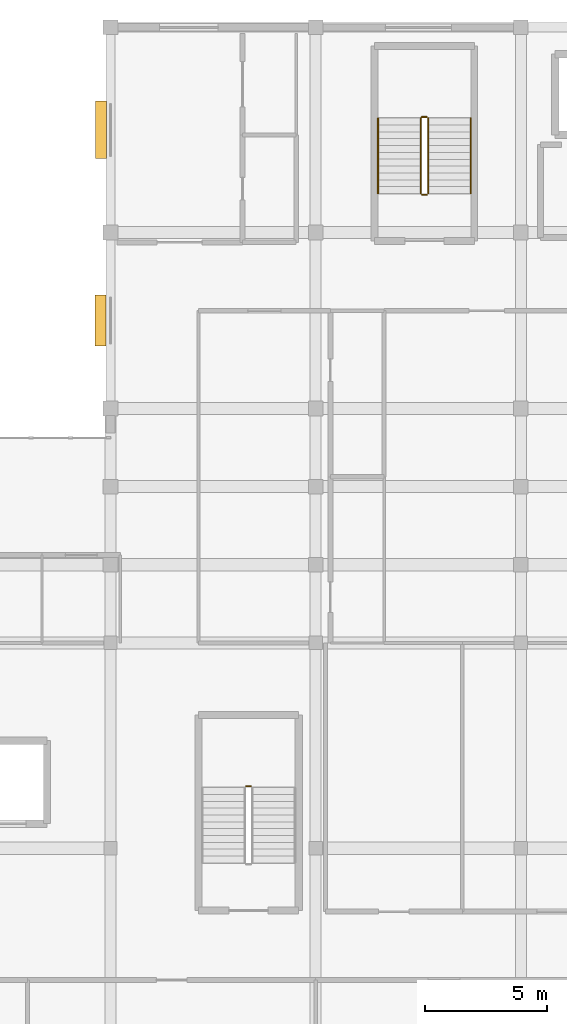
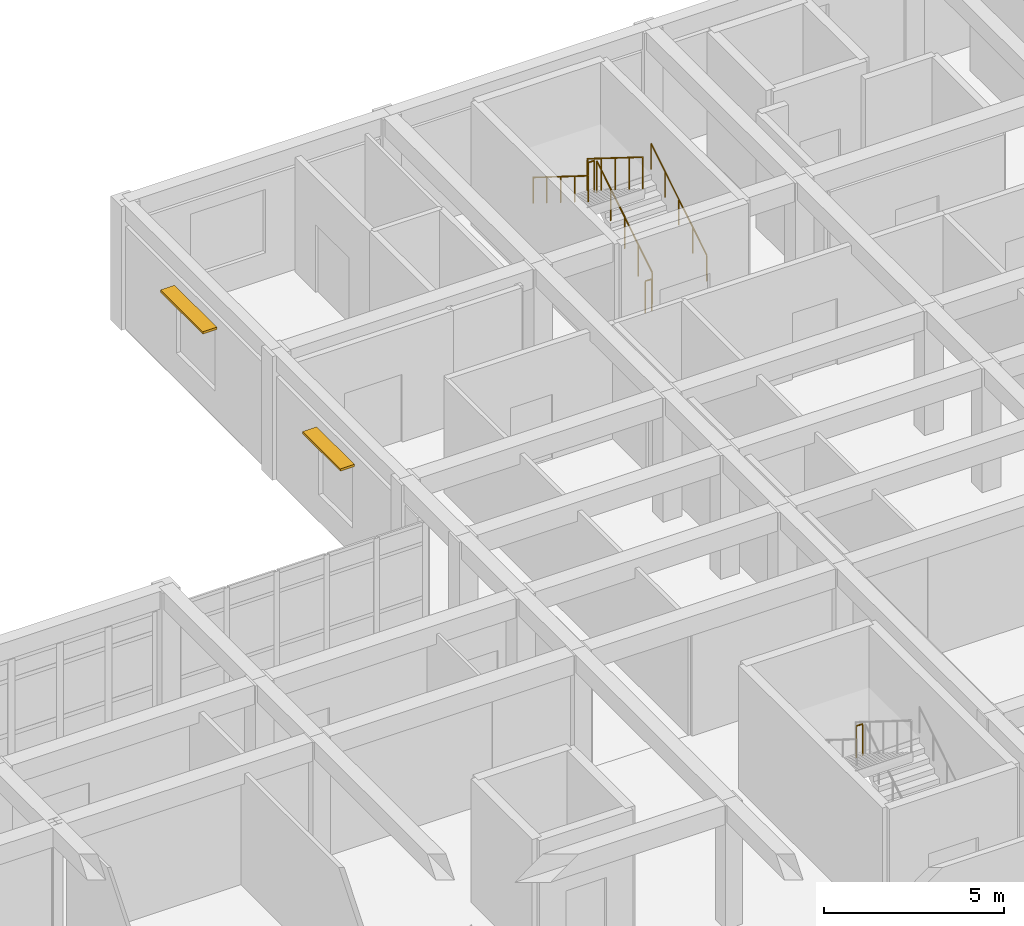
# One storey, part 71 of 77: 7 railings, 2 shading devices.
"""IFC4 building model written with IfcOpenShell, lengths in metres."""

from ifc_helpers import new_model, si_unit, direction, frame, origin, origin_2d, place, context, subcontext, project, spatial, rectangle, circle, extrude, material, layer, layer_set, type_object, element, save


model = new_model("IFC4")

# Units and contexts
model_context = context("Model", 3, precision=1e-05, world=origin(), true_north=direction((0.0, 1.0)))
body_context = subcontext(model_context, "Body", "Model", "MODEL_VIEW")
ifc_project = project(units=[si_unit("LENGTHUNIT", "METRE"), si_unit("AREAUNIT", "SQUARE_METRE"), si_unit("VOLUMEUNIT", "CUBIC_METRE"), si_unit("PLANEANGLEUNIT", "RADIAN"), si_unit("MASSUNIT", "GRAM", prefix="KILO")], contexts=[model_context])

# Site, building, storey
site_placement = place(None, origin())
site = spatial("IfcSite", under=ifc_project, at=site_placement, CompositionType="ELEMENT")
building_placement = place(site_placement, origin())
building = spatial("IfcBuilding", under=site, at=building_placement, Name="Varncliffe General Hospital", CompositionType="ELEMENT")
storey_placement = place(building_placement, frame((0.0, 0.0, 16.199951171875)))
storey = spatial("IfcBuildingStorey", under=building, at=storey_placement, Name="L03", CompositionType="ELEMENT", Elevation=16.199951171875)

# Shading devices
ifc_material_1 = material(Name="Dark bronze extruded aluminium solar jalousie louvres", Category="aluminium")
ifc_layer = layer(ifc_material_1, 0.080078125)
ifc_layer_set = layer_set([ifc_layer], Name="Dark bronze extruded aluminium solar jalousie louvres")
shading_device_type = type_object("IfcShadingDeviceType", Name="Bronze Solar Jalousie Louvre Hood SHD18", PredefinedType="JALOUSIE", material=ifc_layer_set)
shading_device_1_placement = place(storey_placement, frame((108.800048828125, 112.800048828125, 3.06005859375), z_axis=(0.0, 0.0, 1.0), x_axis=(0.0, 1.0, 0.0)))
element("IfcShadingDevice", 1, at=shading_device_1_placement, inside=storey, type_object=shading_device_type, Name="L03 Bronze Window Sun-Shading Louvre 67", PredefinedType="JALOUSIE", context=body_context, shape_type="SweptSolid", body=[
    extrude(rectangle(XDim=2.10009765625, YDim=0.449951171875, at=origin_2d()), origin(), (0.0, 0.0, 1.0), 0.080078125),
])
shading_device_2_placement = place(storey_placement, frame((108.81005859375, 120.60009765625, 3.06005859375), z_axis=(0.0, 0.0, 1.0), x_axis=(0.0, 1.0, 0.0)))
element("IfcShadingDevice", 2, at=shading_device_2_placement, inside=storey, type_object=shading_device_type, Name="L03 Bronze Window Sun-Shading Louvre 68", PredefinedType="JALOUSIE", context=body_context, shape_type="SweptSolid", body=[
    extrude(rectangle(XDim=2.35009765625, YDim=0.449951171875, at=origin_2d()), origin(), (0.0, 0.0, 1.0), 0.080078125),
])

# Railings
ifc_material_2 = material(Name="Powder-coated hospital steel guardrail and handrail", Category="steel")
railing_type_1 = type_object("IfcRailingType", Name="Stair and Ramp Handrail HR46", PredefinedType="HANDRAIL", material=ifc_material_2)
railing_1_placement = place(storey_placement, frame((123.949951171875, 118.0, 0.35400390625)))
element("IfcRailing", 3, at=railing_1_placement, inside=storey, type_object=railing_type_1, Name="L03 ST03 stair handrail 1", PredefinedType="HANDRAIL", context=body_context, shape_type="SweptSolid", body=[
    extrude(circle(Radius=0.02392578125, at=origin_2d()), frame((0.0, 0.0, 0.8759765625), z_axis=(0.0, 0.847998304005, 0.529998940003), x_axis=(-1.0, 0.0, 0.0)), (0.0, 0.0, 1.0), 3.632080078125),
    extrude(circle(Radius=0.02099609375, at=origin_2d()), origin(), (0.0, 0.0, 1.0), 0.851806640625),
    extrude(circle(Radius=0.02099609375, at=origin_2d()), frame((0.0, 0.77001953125, 0.481201171875)), (0.0, 0.0, 1.0), 0.851806640625),
    extrude(circle(Radius=0.02099609375, at=origin_2d()), frame((0.0, 1.5400390625, 0.96240234375)), (0.0, 0.0, 1.0), 0.851806640625),
    extrude(circle(Radius=0.02099609375, at=origin_2d()), frame((0.0, 2.31005859375, 1.44384765625)), (0.0, 0.0, 1.0), 0.851806640625),
    extrude(circle(Radius=0.02099609375, at=origin_2d()), frame((0.0, 3.080078125, 1.925048828125)), (0.0, 0.0, 1.0), 0.851806640625),
])
railing_2_placement = place(storey_placement, frame((120.14990234375, 121.080078125, 2.4541015625)))
element("IfcRailing", 4, at=railing_2_placement, inside=storey, type_object=railing_type_1, Name="L03 ST03 stair handrail 2", PredefinedType="HANDRAIL", context=body_context, shape_type="SweptSolid", body=[
    extrude(circle(Radius=0.02392578125, at=origin_2d()), frame((0.0, 0.0, 0.8759765625), z_axis=(0.0, -0.847998304005, 0.529998940003), x_axis=(1.0, 0.0, 0.0)), (0.0, 0.0, 1.0), 3.632080078125),
    extrude(circle(Radius=0.02099609375, at=origin_2d()), origin(), (0.0, 0.0, 1.0), 0.851806640625),
    extrude(circle(Radius=0.02099609375, at=origin_2d()), frame((0.0, -0.77001953125, 0.481201171875)), (0.0, 0.0, 1.0), 0.851806640625),
    extrude(circle(Radius=0.02099609375, at=origin_2d()), frame((0.0, -1.5400390625, 0.96240234375)), (0.0, 0.0, 1.0), 0.851806640625),
    extrude(circle(Radius=0.02099609375, at=origin_2d()), frame((0.0, -2.31005859375, 1.44384765625)), (0.0, 0.0, 1.0), 0.851806640625),
    extrude(circle(Radius=0.02099609375, at=origin_2d()), frame((0.0, -3.080078125, 1.925048828125)), (0.0, 0.0, 1.0), 0.851806640625),
])
railing_type_2 = type_object("IfcRailingType", Name="Stairwell Guardrail SG49", PredefinedType="GUARDRAIL", material=ifc_material_2)
railing_3_placement = place(storey_placement, frame((122.199951171875, 118.0, 0.175048828125)))
element("IfcRailing", 5, at=railing_3_placement, inside=storey, type_object=railing_type_2, Name="L03 ST03 stair guard 1", PredefinedType="GUARDRAIL", context=body_context, shape_type="SweptSolid", body=[
    extrude(circle(Radius=0.02392578125, at=origin_2d()), frame((0.0, 0.0, 1.076171875), z_axis=(0.0, 0.847998304005, 0.529998940003), x_axis=(-1.0, 0.0, 0.0)), (0.0, 0.0, 1.0), 3.632080078125),
    extrude(circle(Radius=0.02099609375, at=origin_2d()), origin(), (0.0, 0.0, 1.0), 1.052001953125),
    extrude(circle(Radius=0.02099609375, at=origin_2d()), frame((0.0, 0.77001953125, 0.481201171875)), (0.0, 0.0, 1.0), 1.052001953125),
    extrude(circle(Radius=0.02099609375, at=origin_2d()), frame((0.0, 1.5400390625, 0.96240234375)), (0.0, 0.0, 1.0), 1.052001953125),
    extrude(circle(Radius=0.02099609375, at=origin_2d()), frame((0.0, 2.31005859375, 1.44384765625)), (0.0, 0.0, 1.0), 1.052001953125),
    extrude(circle(Radius=0.02099609375, at=origin_2d()), frame((0.0, 3.080078125, 1.925048828125)), (0.0, 0.0, 1.0), 1.052001953125),
])
railing_4_placement = place(storey_placement, frame((122.14990234375, 121.1298828125, 2.10009765625)))
element("IfcRailing", 6, at=railing_4_placement, inside=storey, type_object=railing_type_2, Name="L03 ST03 stair guard 2", PredefinedType="GUARDRAIL", context=body_context, shape_type="SweptSolid", body=[
    extrude(circle(Radius=0.02392578125, at=origin_2d()), frame((0.0, 0.0, 1.076171875), z_axis=(-1.0, 0.0, 0.0), x_axis=(0.0, -1.0, 0.0)), (0.0, 0.0, 1.0), 0.199951171875),
    extrude(circle(Radius=0.02099609375, at=origin_2d()), origin(), (0.0, 0.0, 1.0), 1.052001953125),
    extrude(circle(Radius=0.02099609375, at=origin_2d()), frame((-0.199951171875, 0.0, 0.0)), (0.0, 0.0, 1.0), 1.052001953125),
])
railing_5_placement = place(storey_placement, frame((121.89990234375, 121.080078125, 2.275146484375)))
element("IfcRailing", 7, at=railing_5_placement, inside=storey, type_object=railing_type_2, Name="L03 ST03 stair guard 3", PredefinedType="GUARDRAIL", context=body_context, shape_type="SweptSolid", body=[
    extrude(circle(Radius=0.02392578125, at=origin_2d()), frame((0.0, 0.0, 1.076171875), z_axis=(0.0, -0.848028513186, 0.529950602248), x_axis=(1.0, 0.0, 0.0)), (0.0, 0.0, 1.0), 3.632080078125),
    extrude(circle(Radius=0.02099609375, at=origin_2d()), origin(), (0.0, 0.0, 1.0), 1.052001953125),
    extrude(circle(Radius=0.02099609375, at=origin_2d()), frame((0.0, -0.77001953125, 0.481201171875)), (0.0, 0.0, 1.0), 1.052001953125),
    extrude(circle(Radius=0.02099609375, at=origin_2d()), frame((0.0, -1.5400390625, 0.96240234375)), (0.0, 0.0, 1.0), 1.052001953125),
    extrude(circle(Radius=0.02099609375, at=origin_2d()), frame((0.0, -2.31005859375, 1.443603515625)), (0.0, 0.0, 1.0), 1.052001953125),
    extrude(circle(Radius=0.02099609375, at=origin_2d()), frame((0.0, -3.080078125, 1.9248046875)), (0.0, 0.0, 1.0), 1.052001953125),
])
for number, where, name in (
    (8, (122.14990234375, 117.949951171875, 0.0), "L03 ST03 stair guard 4"),
    (9, (114.949951171875, 93.72998046875, 2.10009765625), "L03 ST06 stair guard 2"),
):
    element("IfcRailing", number, at=place(storey_placement, frame(where)), inside=storey, type_object=railing_type_2, Name=name, PredefinedType="GUARDRAIL", context=body_context, shape_type="SweptSolid", body=[
        extrude(circle(Radius=0.02392578125, at=origin_2d()), frame((0.0, 0.0, 1.076171875), z_axis=(-1.0, 0.0, 0.0), x_axis=(0.0, -1.0, 0.0)), (0.0, 0.0, 1.0), 0.199951171875),
        extrude(circle(Radius=0.02099609375, at=origin_2d()), origin(), (0.0, 0.0, 1.0), 1.052001953125),
        extrude(circle(Radius=0.02099609375, at=origin_2d()), frame((-0.199951171875, 0.0, 0.0)), (0.0, 0.0, 1.0), 1.052001953125),
    ])

save(model, "model.ifc")
